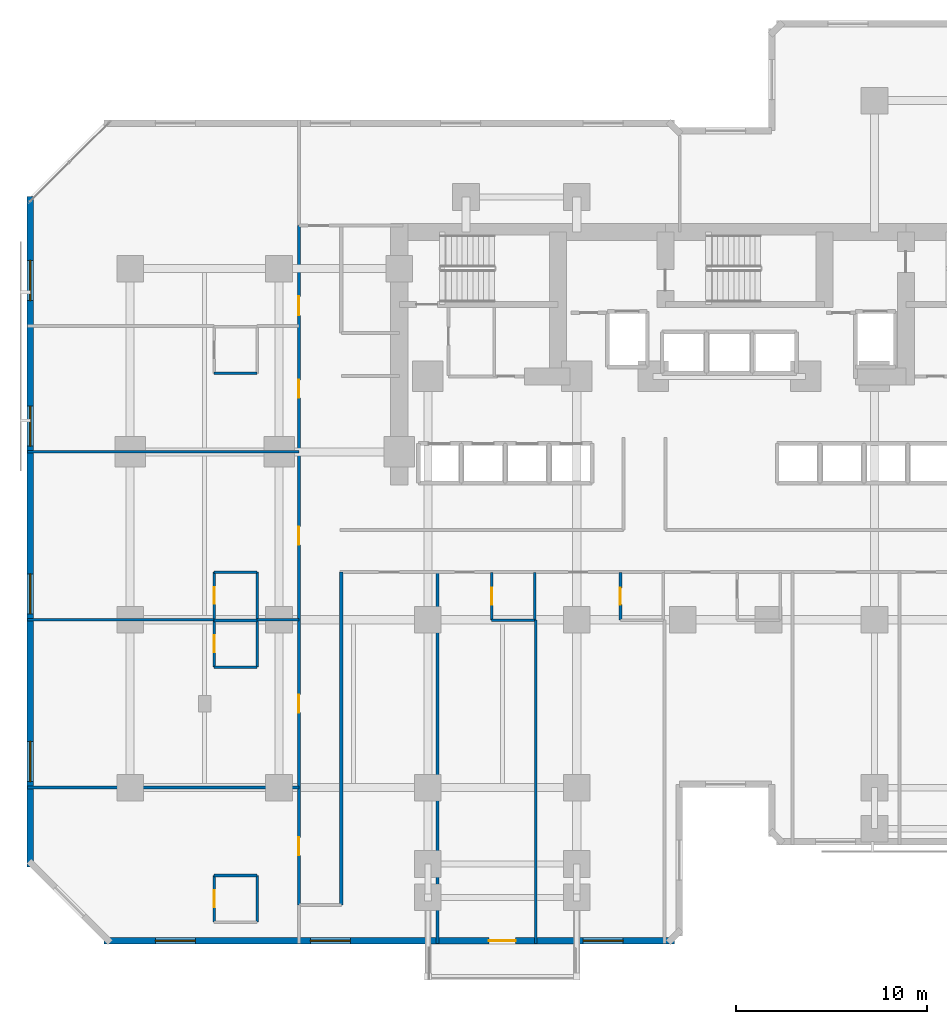
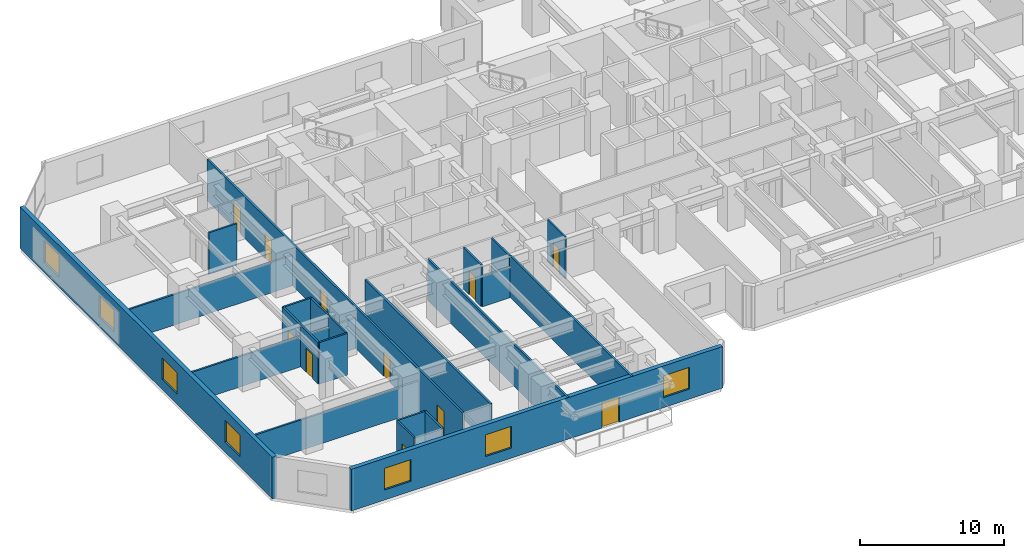
# One storey, part 5 of 12: 25 walls, 11 doors, 7 windows, 18 openings.
"""IFC4 building model written with IfcOpenShell, lengths in metres."""

import ifcopenshell
import ifcopenshell.guid

model = None  # the IFC model being written
_history = None  # IfcOwnerHistory: only IFC2X3 demands one
_inside = {}  # id of a spatial element -> (the spatial element, [elements in it])
_under = {}  # id of a project, library or spatial element -> (it, [spatial elements below it])
_declared = {}  # id of a project -> (the project, [libraries it declares])
_typed = {}  # id of a type object -> (the type object, [elements of that type])
_made_of = {}  # id of a material, layer set ... -> (it, [elements and type objects made of it])


def new_model(schema):
    """Start an empty IFC model of exactly this schema.

    Asked for "IFC4X3", IfcOpenShell would pick the latest addendum, in which some entities
    have other attributes; the version numbers below select the first issue.
    IFC2X3 requires an IfcOwnerHistory on every rooted entity: one is made here for all.
    """
    global model, _history
    if schema == "IFC4X3":
        model = ifcopenshell.file(schema_version=(4, 3, 0, 0))
    else:
        model = ifcopenshell.file(schema=schema)
    _inside.clear()
    _under.clear()
    _declared.clear()
    _typed.clear()
    _made_of.clear()
    _history = None
    if model.schema == "IFC2X3":
        org = make("IfcOrganization", Name="unknown")
        user = make(
            "IfcPersonAndOrganization",
            ThePerson=make("IfcPerson", FamilyName="unknown"),
            TheOrganization=org,
        )
        app = make(
            "IfcApplication",
            ApplicationDeveloper=org,
            Version="unknown",
            ApplicationFullName="unknown",
            ApplicationIdentifier="unknown",
        )
        _history = make(
            "IfcOwnerHistory",
            OwningUser=user,
            OwningApplication=app,
            ChangeAction="ADDED",
            CreationDate=0,
        )
    return model


def make(cls, **values):
    """One entity of the class cls with the attributes given. An attribute that is None is left unset."""
    return model.create_entity(
        cls, **{name: value for name, value in values.items() if value is not None}
    )


def rooted(cls, **values):
    """An entity with a GlobalId (a new one), such as an element, a storey or a relation."""
    return make(cls, GlobalId=ifcopenshell.guid.new(), OwnerHistory=_history, **values)


def si_unit(unit_type, name, prefix=None):
    """IfcSIUnit, for example si_unit("LENGTHUNIT", "METRE", prefix="MILLI")."""
    return make("IfcSIUnit", UnitType=unit_type, Prefix=prefix, Name=name)


def assignment(units):
    """IfcUnitAssignment: the units of a project."""
    return None if units is None else make("IfcUnitAssignment", Units=units)


def point(xyz):
    """IfcCartesianPoint."""
    return None if xyz is None else make("IfcCartesianPoint", Coordinates=xyz)


def direction(xyz):
    """IfcDirection."""
    return None if xyz is None else make("IfcDirection", DirectionRatios=xyz)


def frame(location, z_axis=None, x_axis=None):
    """IfcAxis2Placement3D, a coordinate frame: its origin and axes. An axis left out is left unset."""
    return make(
        "IfcAxis2Placement3D",
        Location=point(location),
        Axis=direction(z_axis),
        RefDirection=direction(x_axis),
    )


def frame_2d(location, x_axis=None):
    """IfcAxis2Placement2D, a coordinate frame in the plane: its origin and x axis."""
    return make(
        "IfcAxis2Placement2D", Location=point(location), RefDirection=direction(x_axis)
    )


def origin():
    """The frame at (0, 0, 0) with its axes left unset."""
    return frame((0.0, 0.0, 0.0))


def place(relative_to, where):
    """IfcLocalPlacement: puts the frame where relative to a parent placement (None: the world)."""
    return make(
        "IfcLocalPlacement", PlacementRelTo=relative_to, RelativePlacement=where
    )


def context(
    kind, dimensions, precision=None, world=None, true_north=None, identifier=None
):
    """IfcGeometricRepresentationContext, for example the 3D "Model" context."""
    return make(
        "IfcGeometricRepresentationContext",
        ContextIdentifier=identifier,
        ContextType=kind,
        CoordinateSpaceDimension=dimensions,
        Precision=precision,
        WorldCoordinateSystem=world,
        TrueNorth=true_north,
    )


def subcontext(parent, identifier, kind, view, scale=None):
    """IfcGeometricRepresentationSubContext, for example "Body" below "Model"."""
    return make(
        "IfcGeometricRepresentationSubContext",
        ContextIdentifier=identifier,
        ContextType=kind,
        ParentContext=parent,
        TargetScale=scale,
        TargetView=view,
    )


def project(units=None, contexts=None):
    """IfcProject with its units and contexts."""
    return rooted(
        "IfcProject",
        Name="project",
        RepresentationContexts=contexts,
        UnitsInContext=assignment(units),
    )


def spatial(cls, under=None, at=None, **own):
    """A site, building, storey or space (cls), placed at a placement, below another one or the project."""
    s = rooted(cls, ObjectPlacement=at, **own)
    if under is not None:
        _under.setdefault(under.id(), (under, []))[1].append(s)
    return s


def profile(cls, at=None, kind="AREA", **sizes):
    """A parametric profile (cls). Its sizes go by their IFC names, for example OverallWidth=200.0."""
    return make(cls, ProfileType=kind, Position=at, **sizes)


def rectangle(**sizes):
    """IfcRectangleProfileDef."""
    return profile("IfcRectangleProfileDef", **sizes)


def extrude(swept, where, along, depth):
    """IfcExtrudedAreaSolid: the profile swept, set in the frame where, extruded along a direction by depth."""
    return make(
        "IfcExtrudedAreaSolid",
        SweptArea=swept,
        Position=where,
        ExtrudedDirection=direction(along),
        Depth=depth,
    )


def shape(context_of_items, identifier, shape_type, items):
    """IfcShapeRepresentation: the items that make up one representation, for example the "Body"."""
    return make(
        "IfcShapeRepresentation",
        ContextOfItems=context_of_items,
        RepresentationIdentifier=identifier,
        RepresentationType=shape_type,
        Items=items,
    )


def material(Name=None, Category=None):
    """IfcMaterial."""
    return make("IfcMaterial", Name=Name, Category=Category)


def layer(
    of_material, thickness, ventilated=None, Name=None, Category=None, Priority=None
):
    """IfcMaterialLayer: one layer of a wall or slab, of a material (None: an air gap)."""
    return make(
        "IfcMaterialLayer",
        Material=of_material,
        LayerThickness=thickness,
        IsVentilated=ventilated,
        Name=Name,
        Category=Category,
        Priority=Priority,
    )


def layer_set(layers, Name=None):
    """IfcMaterialLayerSet."""
    return make("IfcMaterialLayerSet", MaterialLayers=layers, LayerSetName=Name)


def made_of(thing, what):
    """Note that an element or type object is made of a material, layer set ...; save() writes the relation."""
    if what is not None:
        _made_of.setdefault(what.id(), (what, []))[1].append(thing)
    return thing


def type_object(cls, material=None, **own):
    """A type object (cls), such as IfcWallType, which elements share."""
    return made_of(rooted(cls, **own), material)


def element(
    cls,
    number,
    at=None,
    inside=None,
    cuts=None,
    type_object=None,
    material=None,
    context=None,
    identifier="Body",
    shape_type=None,
    held_by="IfcProductDefinitionShape",
    body=None,
    shapes=None,
    **own,
):
    """One element of the class cls, such as IfcWall. Its Tag is "e" and its number.

    at: its placement. inside: the storey or other place that contains it. cuts: it is an
    opening in that element (IfcRelVoidsElement). A single representation is given by context,
    identifier, shape_type and body (its items); several are given by shapes. held_by: the class
    of the entity that holds the representations. save() writes the other relations.
    """
    e = rooted(cls, Tag="e%d" % number, ObjectPlacement=at, **own)
    if body is not None:
        shapes = [shape(context, identifier, shape_type, body)]
    if shapes is not None:
        e.Representation = make(held_by, Representations=shapes)
    if inside is not None:
        _inside.setdefault(inside.id(), (inside, []))[1].append(e)
    if cuts is not None:
        rooted(
            "IfcRelVoidsElement", RelatingBuildingElement=cuts, RelatedOpeningElement=e
        )
    if type_object is not None:
        _typed.setdefault(type_object.id(), (type_object, []))[1].append(e)
    return made_of(e, material)


def fill(opening, filler):
    """IfcRelFillsElement: the door or window that sits in an opening."""
    return rooted(
        "IfcRelFillsElement",
        RelatingOpeningElement=opening,
        RelatedBuildingElement=filler,
    )


def aggregate(whole, parts):
    """IfcRelAggregates: a whole, such as a stair, and the parts it consists of."""
    return rooted("IfcRelAggregates", RelatingObject=whole, RelatedObjects=parts)


def save(model, path):
    """Write the relations noted so far, then the file.

    IfcRelAggregates (storeys below a building ...), IfcRelContainedInSpatialStructure (elements
    in a storey), IfcRelDefinesByType, IfcRelAssociatesMaterial and IfcRelDeclares: one each for
    every whole, place, type object, material and project.
    """
    for whole, parts in _under.values():
        aggregate(whole, parts)
    for where, things in _inside.values():
        rooted(
            "IfcRelContainedInSpatialStructure",
            RelatedElements=things,
            RelatingStructure=where,
        )
    for kind, things in _typed.values():
        rooted("IfcRelDefinesByType", RelatedObjects=things, RelatingType=kind)
    for what, things in _made_of.values():
        rooted("IfcRelAssociatesMaterial", RelatedObjects=things, RelatingMaterial=what)
    for by, libraries in _declared.values():
        rooted("IfcRelDeclares", RelatingContext=by, RelatedDefinitions=libraries)
    model.write(path)


model = new_model("IFC4")

# Units and contexts
model_context = context("Model", 3, precision=1e-05, world=origin(), true_north=direction((0.0, 1.0)))
body_context = subcontext(model_context, "Body", "Model", "MODEL_VIEW")
ifc_project = project(units=[si_unit("LENGTHUNIT", "METRE"), si_unit("AREAUNIT", "SQUARE_METRE"), si_unit("VOLUMEUNIT", "CUBIC_METRE"), si_unit("PLANEANGLEUNIT", "RADIAN"), si_unit("MASSUNIT", "GRAM", prefix="KILO")], contexts=[model_context])

# Site, building, storey
site_placement = place(None, origin())
site = spatial("IfcSite", under=ifc_project, at=site_placement, CompositionType="ELEMENT")
building_placement = place(site_placement, origin())
building = spatial("IfcBuilding", under=site, at=building_placement, Name="Kestravale Grand Hotel", CompositionType="ELEMENT")
storey_placement = place(building_placement, frame((0.0, 0.0, 33.60009765625)))
storey = spatial("IfcBuildingStorey", under=building, at=storey_placement, Name="L07", CompositionType="ELEMENT", Elevation=33.60009765625)

# Wall, openings, door, windows
ifc_material_1 = material(Name="Precast concrete f'c 45 MPa", Category="concrete")
ifc_layer_1 = layer(ifc_material_1, 0.340087890625)
ifc_layer_set_1 = layer_set([ifc_layer_1], Name="EW-PREC-340")
wall_type_1 = type_object("IfcWallType", Name="EW-PREC-340", PredefinedType="SOLIDWALL", material=ifc_layer_set_1)
wall_1_placement = place(storey_placement, frame((6.429931640625, 3.169921875, 0.0), z_axis=(0.0, 0.0, 1.0), x_axis=(1.0, 0.0, 0.0)))
wall_1 = element("IfcWall", 1, at=wall_1_placement, inside=storey, type_object=wall_type_1, Name="L07 fluted precast facade wall 1", PredefinedType="SOLIDWALL", context=body_context, shape_type="SweptSolid", body=[
    extrude(rectangle(XDim=29.89013671875, YDim=0.340087890625, at=frame_2d((14.945068359375, 0.0))), origin(), (0.0, 0.0, 1.0), 3.539794921875),
])
opening_1_placement = place(wall_1_placement, frame((20.169921875, 0.0, 0.0)))
opening_1 = element("IfcOpeningElement", 2, at=opening_1_placement, cuts=wall_1, Name="Opening D-TERR-1400", PredefinedType="OPENING", context=body_context, shape_type="SweptSolid", body=[
    extrude(rectangle(XDim=1.39990234375, YDim=2.14990234375, at=frame_2d((0.699951171875, 1.074951171875))), frame((0.0, 0.179931640625, 0.0), z_axis=(0.0, -1.0, 0.0), x_axis=(1.0, 0.0, 0.0)), (0.0, 0.0, 1.0), 0.360107421875),
])
opening_2_placement = place(wall_1_placement, frame((2.686279296875, 0.0, 0.85009765625)))
opening_2 = element("IfcOpeningElement", 3, at=opening_2_placement, cuts=wall_1, Name="Opening W-GUEST-2100", PredefinedType="OPENING", context=body_context, shape_type="SweptSolid", body=[
    extrude(rectangle(XDim=2.10009765625, YDim=1.85009765625, at=frame_2d((1.050048828125, 0.925048828125))), frame((0.0, 0.179931640625, 0.0), z_axis=(0.0, -1.0, 0.0), x_axis=(1.0, 0.0, 0.0)), (0.0, 0.0, 1.0), 0.360107421875),
])
opening_3_placement = place(wall_1_placement, frame((10.80859375, 0.0, 0.85009765625)))
opening_3 = element("IfcOpeningElement", 4, at=opening_3_placement, cuts=wall_1, Name="Opening W-GUEST-2100", PredefinedType="OPENING", context=body_context, shape_type="SweptSolid", body=[
    extrude(rectangle(XDim=2.10009765625, YDim=1.85009765625, at=frame_2d((1.050048828125, 0.925048828125))), frame((0.0, 0.179931640625, 0.0), z_axis=(0.0, -1.0, 0.0), x_axis=(1.0, 0.0, 0.0)), (0.0, 0.0, 1.0), 0.360107421875),
])
opening_4_placement = place(wall_1_placement, frame((25.103759765625, 0.0, 0.85009765625)))
opening_4 = element("IfcOpeningElement", 5, at=opening_4_placement, cuts=wall_1, Name="Opening W-GUEST-2100", PredefinedType="OPENING", context=body_context, shape_type="SweptSolid", body=[
    extrude(rectangle(XDim=2.10009765625, YDim=1.85009765625, at=frame_2d((1.050048828125, 0.925048828125))), frame((0.0, 0.179931640625, 0.0), z_axis=(0.0, -1.0, 0.0), x_axis=(1.0, 0.0, 0.0)), (0.0, 0.0, 1.0), 0.360107421875),
])
ifc_material_2 = material(Name="Insulated glazed champagne-bronze aluminium door", Category="aluminium")
door_type_1 = type_object("IfcDoorType", Name="D-TERR-1400", OperationType="NOTDEFINED", PredefinedType="DOOR", material=ifc_material_2)
door_1_placement = place(opening_1_placement, origin())
door_1 = element("IfcDoor", 6, at=door_1_placement, inside=storey, type_object=door_type_1, Name="L07 outdoor garden terrace door", OperationType="DOUBLE_DOOR_SINGLE_SWING", OverallHeight=2.14990234375, OverallWidth=1.39990234375, PredefinedType="DOOR", context=body_context, shape_type="SweptSolid", body=[
    extrude(rectangle(XDim=1.39990234375, YDim=2.14990234375, at=frame_2d((0.699951171875, 1.074951171875))), frame((0.0, 0.02490234375, 0.0), z_axis=(0.0, -1.0, 0.0), x_axis=(1.0, 0.0, 0.0)), (0.0, 0.0, 1.0), 0.050048828125),
])
fill(opening_1, door_1)
ifc_material_3 = material(Name="Insulated low-E double glazing in aluminium frame", Category="aluminium")
window_type = type_object("IfcWindowType", Name="W-GUEST-2100", PartitioningType="DOUBLE_PANEL_VERTICAL", PredefinedType="WINDOW", material=ifc_material_3)
window_1_placement = place(opening_2_placement, origin())
window_1 = element("IfcWindow", 7, at=window_1_placement, inside=storey, type_object=window_type, Name="L07 exterior window 1.1", OverallHeight=1.85009765625, OverallWidth=2.10009765625, PartitioningType="SINGLE_PANEL", PredefinedType="WINDOW", context=body_context, shape_type="SweptSolid", body=[
    extrude(rectangle(XDim=2.10009765625, YDim=1.85009765625, at=frame_2d((1.050048828125, 0.925048828125))), frame((0.0, 0.030029296875, 0.0), z_axis=(0.0, -1.0, 0.0), x_axis=(1.0, 0.0, 0.0)), (0.0, 0.0, 1.0), 0.06005859375),
])
fill(opening_2, window_1)
window_2_placement = place(opening_3_placement, origin())
window_2 = element("IfcWindow", 8, at=window_2_placement, inside=storey, type_object=window_type, Name="L07 exterior window 1.2", OverallHeight=1.85009765625, OverallWidth=2.10009765625, PartitioningType="SINGLE_PANEL", PredefinedType="WINDOW", context=body_context, shape_type="SweptSolid", body=[
    extrude(rectangle(XDim=2.10009765625, YDim=1.85009765625, at=frame_2d((1.050048828125, 0.925048828125))), frame((0.0, 0.030029296875, 0.0), z_axis=(0.0, -1.0, 0.0), x_axis=(1.0, 0.0, 0.0)), (0.0, 0.0, 1.0), 0.06005859375),
])
fill(opening_3, window_2)
window_3_placement = place(opening_4_placement, origin())
window_3 = element("IfcWindow", 9, at=window_3_placement, inside=storey, type_object=window_type, Name="L07 exterior window 1.3", OverallHeight=1.85009765625, OverallWidth=2.10009765625, PartitioningType="SINGLE_PANEL", PredefinedType="WINDOW", context=body_context, shape_type="SweptSolid", body=[
    extrude(rectangle(XDim=2.10009765625, YDim=1.85009765625, at=frame_2d((1.050048828125, 0.925048828125))), frame((0.0, 0.030029296875, 0.0), z_axis=(0.0, -1.0, 0.0), x_axis=(1.0, 0.0, 0.0)), (0.0, 0.0, 1.0), 0.06005859375),
])
fill(opening_4, window_3)

# Wall, openings, windows
wall_2_placement = place(storey_placement, frame((2.570068359375, 42.169921875, 0.0), z_axis=(0.0, 0.0, 1.0), x_axis=(0.0, -1.0, 0.0)))
wall_2 = element("IfcWall", 10, at=wall_2_placement, inside=storey, type_object=wall_type_1, Name="L07 fluted precast facade wall 19", PredefinedType="SOLIDWALL", context=body_context, shape_type="SweptSolid", body=[
    extrude(rectangle(XDim=35.139892578125, YDim=0.340087890625, at=frame_2d((17.56982421875, 0.0))), origin(), (0.0, 0.0, 1.0), 3.539794921875),
])
opening_5_placement = place(wall_2_placement, frame((3.342529296875, 0.0, 0.85009765625)))
opening_5 = element("IfcOpeningElement", 11, at=opening_5_placement, cuts=wall_2, Name="Opening W-GUEST-2100", PredefinedType="OPENING", context=body_context, shape_type="SweptSolid", body=[
    extrude(rectangle(XDim=2.10009765625, YDim=1.85009765625, at=frame_2d((1.050048828125, 0.925048828125))), frame((0.0, 0.179931640625, 0.0), z_axis=(0.0, -1.0, 0.0), x_axis=(1.0, 0.0, 0.0)), (0.0, 0.0, 1.0), 0.360107421875),
])
opening_6_placement = place(wall_2_placement, frame((10.9775390625, 0.0, 0.85009765625)))
opening_6 = element("IfcOpeningElement", 12, at=opening_6_placement, cuts=wall_2, Name="Opening W-GUEST-2100", PredefinedType="OPENING", context=body_context, shape_type="SweptSolid", body=[
    extrude(rectangle(XDim=2.10009765625, YDim=1.85009765625, at=frame_2d((1.050048828125, 0.925048828125))), frame((0.0, 0.179931640625, 0.0), z_axis=(0.0, -1.0, 0.0), x_axis=(1.0, 0.0, 0.0)), (0.0, 0.0, 1.0), 0.360107421875),
])
opening_7_placement = place(wall_2_placement, frame((19.762451171875, 0.0, 0.85009765625)))
opening_7 = element("IfcOpeningElement", 13, at=opening_7_placement, cuts=wall_2, Name="Opening W-GUEST-2100", PredefinedType="OPENING", context=body_context, shape_type="SweptSolid", body=[
    extrude(rectangle(XDim=2.10009765625, YDim=1.85009765625, at=frame_2d((1.050048828125, 0.925048828125))), frame((0.0, 0.179931640625, 0.0), z_axis=(0.0, -1.0, 0.0), x_axis=(1.0, 0.0, 0.0)), (0.0, 0.0, 1.0), 0.360107421875),
])
opening_8_placement = place(wall_2_placement, frame((28.547607421875, 0.0, 0.85009765625)))
opening_8 = element("IfcOpeningElement", 14, at=opening_8_placement, cuts=wall_2, Name="Opening W-GUEST-2100", PredefinedType="OPENING", context=body_context, shape_type="SweptSolid", body=[
    extrude(rectangle(XDim=2.10009765625, YDim=1.85009765625, at=frame_2d((1.050048828125, 0.925048828125))), frame((0.0, 0.179931640625, 0.0), z_axis=(0.0, -1.0, 0.0), x_axis=(1.0, 0.0, 0.0)), (0.0, 0.0, 1.0), 0.360107421875),
])
window_4_placement = place(opening_5_placement, origin())
window_4 = element("IfcWindow", 15, at=window_4_placement, inside=storey, type_object=window_type, Name="L07 exterior window 19.1", OverallHeight=1.85009765625, OverallWidth=2.10009765625, PartitioningType="SINGLE_PANEL", PredefinedType="WINDOW", context=body_context, shape_type="SweptSolid", body=[
    extrude(rectangle(XDim=2.10009765625, YDim=1.85009765625, at=frame_2d((1.050048828125, 0.925048828125))), frame((0.0, 0.030029296875, 0.0), z_axis=(0.0, -1.0, 0.0), x_axis=(1.0, 0.0, 0.0)), (0.0, 0.0, 1.0), 0.06005859375),
])
fill(opening_5, window_4)
window_5_placement = place(opening_6_placement, origin())
window_5 = element("IfcWindow", 16, at=window_5_placement, inside=storey, type_object=window_type, Name="L07 exterior window 19.2", OverallHeight=1.85009765625, OverallWidth=2.10009765625, PartitioningType="SINGLE_PANEL", PredefinedType="WINDOW", context=body_context, shape_type="SweptSolid", body=[
    extrude(rectangle(XDim=2.10009765625, YDim=1.85009765625, at=frame_2d((1.050048828125, 0.925048828125))), frame((0.0, 0.030029296875, 0.0), z_axis=(0.0, -1.0, 0.0), x_axis=(1.0, 0.0, 0.0)), (0.0, 0.0, 1.0), 0.06005859375),
])
fill(opening_6, window_5)
window_6_placement = place(opening_7_placement, origin())
window_6 = element("IfcWindow", 17, at=window_6_placement, inside=storey, type_object=window_type, Name="L07 exterior window 19.3", OverallHeight=1.85009765625, OverallWidth=2.10009765625, PartitioningType="SINGLE_PANEL", PredefinedType="WINDOW", context=body_context, shape_type="SweptSolid", body=[
    extrude(rectangle(XDim=2.10009765625, YDim=1.85009765625, at=frame_2d((1.050048828125, 0.925048828125))), frame((0.0, 0.030029296875, 0.0), z_axis=(0.0, -1.0, 0.0), x_axis=(1.0, 0.0, 0.0)), (0.0, 0.0, 1.0), 0.06005859375),
])
fill(opening_7, window_6)
window_7_placement = place(opening_8_placement, origin())
window_7 = element("IfcWindow", 18, at=window_7_placement, inside=storey, type_object=window_type, Name="L07 exterior window 19.4", OverallHeight=1.85009765625, OverallWidth=2.10009765625, PartitioningType="SINGLE_PANEL", PredefinedType="WINDOW", context=body_context, shape_type="SweptSolid", body=[
    extrude(rectangle(XDim=2.10009765625, YDim=1.85009765625, at=frame_2d((1.050048828125, 0.925048828125))), frame((0.0, 0.030029296875, 0.0), z_axis=(0.0, -1.0, 0.0), x_axis=(1.0, 0.0, 0.0)), (0.0, 0.0, 1.0), 0.06005859375),
])
fill(opening_8, window_7)

# Wall, openings, doors
ifc_material_4 = material(Name="Acoustic fire-rated gypsum board partition", Category="other")
ifc_layer_2 = layer(ifc_material_4, 0.159912109375)
ifc_layer_set_2 = layer_set([ifc_layer_2], Name="IW-CORR-160")
wall_type_2 = type_object("IfcWallType", Name="IW-CORR-160", PredefinedType="PARTITIONING", material=ifc_layer_set_2)
wall_3_placement = place(storey_placement, frame((16.639892578125, 5.050048828125, 0.0), z_axis=(0.0, 0.0, 1.0), x_axis=(0.0, 1.0, 0.0)))
wall_3 = element("IfcWall", 19, at=wall_3_placement, inside=storey, type_object=wall_type_2, Name="W-L07-SW-W", PredefinedType="PARTITIONING", context=body_context, shape_type="SweptSolid", body=[
    extrude(rectangle(XDim=35.599853515625, YDim=0.159912109375, at=frame_2d((17.7998046875, 0.0))), origin(), (0.0, 0.0, 1.0), 3.539794921875),
])
opening_9_placement = place(wall_3_placement, frame((2.60009765625, 0.0, 0.0)))
opening_9 = element("IfcOpeningElement", 20, at=opening_9_placement, cuts=wall_3, Name="Opening D-GUEST-950", PredefinedType="OPENING", context=body_context, shape_type="SweptSolid", body=[
    extrude(rectangle(XDim=0.949951171875, YDim=2.10009765625, at=frame_2d((0.47509765625, 1.050048828125))), frame((0.0, 0.08984375, 0.0), z_axis=(0.0, -1.0, 0.0), x_axis=(1.0, 0.0, 0.0)), (0.0, 0.0, 1.0), 0.179931640625),
])
opening_10_placement = place(wall_3_placement, frame((10.074951171875, 0.0, 0.0)))
opening_10 = element("IfcOpeningElement", 21, at=opening_10_placement, cuts=wall_3, Name="Opening D-GUEST-950", PredefinedType="OPENING", context=body_context, shape_type="SweptSolid", body=[
    extrude(rectangle(XDim=0.949951171875, YDim=2.10009765625, at=frame_2d((0.47509765625, 1.050048828125))), frame((0.0, 0.08984375, 0.0), z_axis=(0.0, -1.0, 0.0), x_axis=(1.0, 0.0, 0.0)), (0.0, 0.0, 1.0), 0.179931640625),
])
opening_11_placement = place(wall_3_placement, frame((18.875, 0.0, 0.0)))
opening_11 = element("IfcOpeningElement", 22, at=opening_11_placement, cuts=wall_3, Name="Opening D-GUEST-950", PredefinedType="OPENING", context=body_context, shape_type="SweptSolid", body=[
    extrude(rectangle(XDim=0.949951171875, YDim=2.10009765625, at=frame_2d((0.47509765625, 1.050048828125))), frame((0.0, 0.08984375, 0.0), z_axis=(0.0, -1.0, 0.0), x_axis=(1.0, 0.0, 0.0)), (0.0, 0.0, 1.0), 0.179931640625),
])
opening_12_placement = place(wall_3_placement, frame((26.574951171875, 0.0, 0.0)))
opening_12 = element("IfcOpeningElement", 23, at=opening_12_placement, cuts=wall_3, Name="Opening D-GUEST-950", PredefinedType="OPENING", context=body_context, shape_type="SweptSolid", body=[
    extrude(rectangle(XDim=0.949951171875, YDim=2.10009765625, at=frame_2d((0.47509765625, 1.050048828125))), frame((0.0, 0.08984375, 0.0), z_axis=(0.0, -1.0, 0.0), x_axis=(1.0, 0.0, 0.0)), (0.0, 0.0, 1.0), 0.179931640625),
])
opening_13_placement = place(wall_3_placement, frame((30.89990234375, 0.0, 0.0)))
opening_13 = element("IfcOpeningElement", 24, at=opening_13_placement, cuts=wall_3, Name="Opening D-GUEST-1000", PredefinedType="OPENING", context=body_context, shape_type="SweptSolid", body=[
    extrude(rectangle(XDim=1.0, YDim=2.14990234375, at=frame_2d((0.5, 1.074951171875))), frame((0.0, 0.08984375, 0.0), z_axis=(0.0, -1.0, 0.0), x_axis=(1.0, 0.0, 0.0)), (0.0, 0.0, 1.0), 0.179931640625),
])
ifc_material_5 = material(Name="Accessible walnut veneer hotel entrance fire door", Category="wood")
door_type_2 = type_object("IfcDoorType", Name="D-GUEST-1000", OperationType="NOTDEFINED", PredefinedType="DOOR", material=ifc_material_5)
door_2_placement = place(opening_13_placement, origin())
door_2 = element("IfcDoor", 25, at=door_2_placement, inside=storey, type_object=door_type_2, Name="D-L07-AMWW", OperationType="SINGLE_SWING_LEFT", OverallHeight=2.14990234375, OverallWidth=1.0, PredefinedType="DOOR", context=body_context, shape_type="SweptSolid", body=[
    extrude(rectangle(XDim=1.0, YDim=2.14990234375, at=frame_2d((0.5, 1.074951171875))), frame((0.0, 0.02490234375, 0.0), z_axis=(0.0, -1.0, 0.0), x_axis=(1.0, 0.0, 0.0)), (0.0, 0.0, 1.0), 0.050048828125),
])
fill(opening_13, door_2)
ifc_material_6 = material(Name="Walnut veneer hotel guestroom entrance fire door", Category="wood")
door_type_3 = type_object("IfcDoorType", Name="D-GUEST-950", OperationType="NOTDEFINED", PredefinedType="DOOR", material=ifc_material_6)
door_3_placement = place(opening_9_placement, origin())
door_3 = element("IfcDoor", 26, at=door_3_placement, inside=storey, type_object=door_type_3, Name="D-L07-U06-ENT", OperationType="SINGLE_SWING_RIGHT", OverallHeight=2.10009765625, OverallWidth=0.949951171875, PredefinedType="DOOR", context=body_context, shape_type="SweptSolid", body=[
    extrude(rectangle(XDim=0.949951171875, YDim=2.10009765625, at=frame_2d((0.47509765625, 1.050048828125))), frame((0.0, 0.02490234375, 0.0), z_axis=(0.0, -1.0, 0.0), x_axis=(1.0, 0.0, 0.0)), (0.0, 0.0, 1.0), 0.050048828125),
])
fill(opening_9, door_3)
door_4_placement = place(opening_10_placement, origin())
door_4 = element("IfcDoor", 27, at=door_4_placement, inside=storey, type_object=door_type_3, Name="D-L07-U07-ENT", OperationType="SINGLE_SWING_RIGHT", OverallHeight=2.10009765625, OverallWidth=0.949951171875, PredefinedType="DOOR", context=body_context, shape_type="SweptSolid", body=[
    extrude(rectangle(XDim=0.949951171875, YDim=2.10009765625, at=frame_2d((0.47509765625, 1.050048828125))), frame((0.0, 0.02490234375, 0.0), z_axis=(0.0, -1.0, 0.0), x_axis=(1.0, 0.0, 0.0)), (0.0, 0.0, 1.0), 0.050048828125),
])
fill(opening_10, door_4)
door_5_placement = place(opening_11_placement, origin())
door_5 = element("IfcDoor", 28, at=door_5_placement, inside=storey, type_object=door_type_3, Name="D-L07-U08-ENT", OperationType="SINGLE_SWING_RIGHT", OverallHeight=2.10009765625, OverallWidth=0.949951171875, PredefinedType="DOOR", context=body_context, shape_type="SweptSolid", body=[
    extrude(rectangle(XDim=0.949951171875, YDim=2.10009765625, at=frame_2d((0.47509765625, 1.050048828125))), frame((0.0, 0.02490234375, 0.0), z_axis=(0.0, -1.0, 0.0), x_axis=(1.0, 0.0, 0.0)), (0.0, 0.0, 1.0), 0.050048828125),
])
fill(opening_11, door_5)
door_6_placement = place(opening_12_placement, origin())
door_6 = element("IfcDoor", 29, at=door_6_placement, inside=storey, type_object=door_type_3, Name="D-L07-U09-ENT", OperationType="SINGLE_SWING_RIGHT", OverallHeight=2.10009765625, OverallWidth=0.949951171875, PredefinedType="DOOR", context=body_context, shape_type="SweptSolid", body=[
    extrude(rectangle(XDim=0.949951171875, YDim=2.10009765625, at=frame_2d((0.47509765625, 1.050048828125))), frame((0.0, 0.02490234375, 0.0), z_axis=(0.0, -1.0, 0.0), x_axis=(1.0, 0.0, 0.0)), (0.0, 0.0, 1.0), 0.050048828125),
])
fill(opening_12, door_6)

# Wall
wall_4_placement = place(storey_placement, frame((18.860107421875, 5.050048828125, 0.0), z_axis=(0.0, 0.0, 1.0), x_axis=(0.0, 1.0, 0.0)))
element("IfcWall", 30, at=wall_4_placement, inside=storey, type_object=wall_type_2, Name="W-L07-SW-E", PredefinedType="PARTITIONING", context=body_context, shape_type="SweptSolid", body=[
    extrude(rectangle(XDim=17.43994140625, YDim=0.159912109375, at=frame_2d((8.719970703125, 0.0))), origin(), (0.0, 0.0, 1.0), 3.539794921875),
])

# Wall, opening, door
ifc_material_7 = material(Name="Moisture-resistant tile-backer plumbing chase wall", Category="other")
ifc_layer_3 = layer(ifc_material_7, 0.139892578125)
ifc_layer_set_3 = layer_set([ifc_layer_3], Name="IW-PLB-140")
wall_type_3 = type_object("IfcWallType", Name="IW-PLB-140", PredefinedType="PLUMBINGWALL", material=ifc_layer_set_3)
wall_5_placement = place(storey_placement, frame((26.743408203125, 19.97998046875, 0.0), z_axis=(0.0, 0.0, 1.0), x_axis=(0.0, 1.0, 0.0)))
wall_5 = element("IfcWall", 31, at=wall_5_placement, inside=storey, type_object=wall_type_3, Name="W-L07-U01-BW", PredefinedType="PLUMBINGWALL", context=body_context, shape_type="SweptSolid", body=[
    extrude(rectangle(XDim=2.489990234375, YDim=0.139892578125, at=frame_2d((1.2451171875, 0.0))), origin(), (0.0, 0.0, 1.0), 3.539794921875),
])
opening_14_placement = place(wall_5_placement, frame((0.804931640625, 0.0, 0.0)))
opening_14 = element("IfcOpeningElement", 32, at=opening_14_placement, cuts=wall_5, Name="Opening D-BATH-880", PredefinedType="OPENING", context=body_context, shape_type="SweptSolid", body=[
    extrude(rectangle(XDim=0.8798828125, YDim=2.050048828125, at=frame_2d((0.43994140625, 1.02490234375))), frame((0.0, 0.079833984375, 0.0), z_axis=(0.0, -1.0, 0.0), x_axis=(1.0, 0.0, 0.0)), (0.0, 0.0, 1.0), 0.159912109375),
])
ifc_material_8 = material(Name="Moisture-sealed walnut en-suite bathroom door", Category="wood")
door_type_4 = type_object("IfcDoorType", Name="D-BATH-880", OperationType="NOTDEFINED", PredefinedType="DOOR", material=ifc_material_8)
door_7_placement = place(opening_14_placement, origin())
door_7 = element("IfcDoor", 33, at=door_7_placement, inside=storey, type_object=door_type_4, Name="D-L07-U01-BATH", OperationType="SINGLE_SWING_RIGHT", OverallHeight=2.050048828125, OverallWidth=0.8798828125, PredefinedType="DOOR", context=body_context, shape_type="SweptSolid", body=[
    extrude(rectangle(XDim=0.8798828125, YDim=2.050048828125, at=frame_2d((0.43994140625, 1.02490234375))), frame((0.0, 0.02490234375, 0.0), z_axis=(0.0, -1.0, 0.0), x_axis=(1.0, 0.0, 0.0)), (0.0, 0.0, 1.0), 0.050048828125),
])
fill(opening_14, door_7)

# Walls
wall_6_placement = place(storey_placement, frame((28.993408203125, 19.97998046875, 0.0), z_axis=(0.0, 0.0, 1.0), x_axis=(0.0, 1.0, 0.0)))
element("IfcWall", 34, at=wall_6_placement, inside=storey, type_object=wall_type_3, Name="W-L07-U01-BE", PredefinedType="PLUMBINGWALL", context=body_context, shape_type="SweptSolid", body=[
    extrude(rectangle(XDim=2.489990234375, YDim=0.139892578125, at=frame_2d((1.2451171875, 0.0))), origin(), (0.0, 0.0, 1.0), 3.539794921875),
])
wall_7_placement = place(storey_placement, frame((26.743408203125, 19.97998046875, 0.0), z_axis=(0.0, 0.0, 1.0), x_axis=(1.0, 0.0, 0.0)))
element("IfcWall", 35, at=wall_7_placement, inside=storey, type_object=wall_type_3, Name="W-L07-U01-BS", PredefinedType="PLUMBINGWALL", context=body_context, shape_type="SweptSolid", body=[
    extrude(rectangle(XDim=2.25, YDim=0.139892578125, at=frame_2d((1.125, 0.0))), origin(), (0.0, 0.0, 1.0), 2.593017578125),
])

# Wall, opening, door
wall_8_placement = place(storey_placement, frame((33.489990234375, 19.97998046875, 0.0), z_axis=(0.0, 0.0, 1.0), x_axis=(0.0, 1.0, 0.0)))
wall_8 = element("IfcWall", 36, at=wall_8_placement, inside=storey, type_object=wall_type_3, Name="W-L07-U02-BW", PredefinedType="PLUMBINGWALL", context=body_context, shape_type="SweptSolid", body=[
    extrude(rectangle(XDim=2.489990234375, YDim=0.139892578125, at=frame_2d((1.2451171875, 0.0))), origin(), (0.0, 0.0, 1.0), 3.539794921875),
])
opening_15_placement = place(wall_8_placement, frame((0.804931640625, 0.0, 0.0)))
opening_15 = element("IfcOpeningElement", 37, at=opening_15_placement, cuts=wall_8, Name="Opening D-BATH-880", PredefinedType="OPENING", context=body_context, shape_type="SweptSolid", body=[
    extrude(rectangle(XDim=0.8798828125, YDim=2.050048828125, at=frame_2d((0.43994140625, 1.02490234375))), frame((0.0, 0.079833984375, 0.0), z_axis=(0.0, -1.0, 0.0), x_axis=(1.0, 0.0, 0.0)), (0.0, 0.0, 1.0), 0.159912109375),
])
door_8_placement = place(opening_15_placement, origin())
door_8 = element("IfcDoor", 38, at=door_8_placement, inside=storey, type_object=door_type_4, Name="D-L07-U02-BATH", OperationType="SINGLE_SWING_RIGHT", OverallHeight=2.050048828125, OverallWidth=0.8798828125, PredefinedType="DOOR", context=body_context, shape_type="SweptSolid", body=[
    extrude(rectangle(XDim=0.8798828125, YDim=2.050048828125, at=frame_2d((0.43994140625, 1.02490234375))), frame((0.0, 0.02490234375, 0.0), z_axis=(0.0, -1.0, 0.0), x_axis=(1.0, 0.0, 0.0)), (0.0, 0.0, 1.0), 0.050048828125),
])
fill(opening_15, door_8)

wall_9_placement = place(storey_placement, frame((12.199951171875, 4.14990234375, 0.0), z_axis=(0.0, 0.0, 1.0), x_axis=(0.0, 1.0, 0.0)))
wall_9 = element("IfcWall", 39, at=wall_9_placement, inside=storey, type_object=wall_type_3, Name="W-L07-U06-BW", PredefinedType="PLUMBINGWALL", context=body_context, shape_type="SweptSolid", body=[
    extrude(rectangle(XDim=2.4501953125, YDim=0.139892578125, at=frame_2d((1.22509765625, 0.0))), origin(), (0.0, 0.0, 1.0), 3.539794921875),
])
opening_16_placement = place(wall_9_placement, frame((0.784912109375, 0.0, 0.0)))
opening_16 = element("IfcOpeningElement", 40, at=opening_16_placement, cuts=wall_9, Name="Opening D-BATH-880", PredefinedType="OPENING", context=body_context, shape_type="SweptSolid", body=[
    extrude(rectangle(XDim=0.8798828125, YDim=2.050048828125, at=frame_2d((0.43994140625, 1.02490234375))), frame((0.0, 0.079833984375, 0.0), z_axis=(0.0, -1.0, 0.0), x_axis=(1.0, 0.0, 0.0)), (0.0, 0.0, 1.0), 0.159912109375),
])
door_9_placement = place(opening_16_placement, origin())
door_9 = element("IfcDoor", 41, at=door_9_placement, inside=storey, type_object=door_type_4, Name="D-L07-U06-BATH", OperationType="SINGLE_SWING_LEFT", OverallHeight=2.050048828125, OverallWidth=0.8798828125, PredefinedType="DOOR", context=body_context, shape_type="SweptSolid", body=[
    extrude(rectangle(XDim=0.8798828125, YDim=2.050048828125, at=frame_2d((0.43994140625, 1.02490234375))), frame((0.0, 0.02490234375, 0.0), z_axis=(0.0, -1.0, 0.0), x_axis=(1.0, 0.0, 0.0)), (0.0, 0.0, 1.0), 0.050048828125),
])
fill(opening_16, door_9)

# Walls
wall_10_placement = place(storey_placement, frame((14.449951171875, 4.14990234375, 0.0), z_axis=(0.0, 0.0, 1.0), x_axis=(0.0, 1.0, 0.0)))
element("IfcWall", 42, at=wall_10_placement, inside=storey, type_object=wall_type_3, Name="W-L07-U06-BE", PredefinedType="PLUMBINGWALL", context=body_context, shape_type="SweptSolid", body=[
    extrude(rectangle(XDim=2.4501953125, YDim=0.139892578125, at=frame_2d((1.22509765625, 0.0))), origin(), (0.0, 0.0, 1.0), 3.539794921875),
])
wall_11_placement = place(storey_placement, frame((12.199951171875, 6.60009765625, 0.0), z_axis=(0.0, 0.0, 1.0), x_axis=(1.0, 0.0, 0.0)))
element("IfcWall", 43, at=wall_11_placement, inside=storey, type_object=wall_type_3, Name="W-L07-U06-BN", PredefinedType="PLUMBINGWALL", context=body_context, shape_type="SweptSolid", body=[
    extrude(rectangle(XDim=2.25, YDim=0.139892578125, at=frame_2d((1.125, 0.0))), origin(), (0.0, 0.0, 1.0), 3.539794921875),
])

# Wall, opening, door
wall_12_placement = place(storey_placement, frame((12.199951171875, 17.510009765625, 0.0), z_axis=(0.0, 0.0, 1.0), x_axis=(0.0, 1.0, 0.0)))
wall_12 = element("IfcWall", 44, at=wall_12_placement, inside=storey, type_object=wall_type_3, Name="W-L07-U07-BW", PredefinedType="PLUMBINGWALL", context=body_context, shape_type="SweptSolid", body=[
    extrude(rectangle(XDim=2.449951171875, YDim=0.139892578125, at=frame_2d((1.22509765625, 0.0))), origin(), (0.0, 0.0, 1.0), 3.539794921875),
])
opening_17_placement = place(wall_12_placement, frame((0.784912109375, 0.0, 0.0)))
opening_17 = element("IfcOpeningElement", 45, at=opening_17_placement, cuts=wall_12, Name="Opening D-BATH-880", PredefinedType="OPENING", context=body_context, shape_type="SweptSolid", body=[
    extrude(rectangle(XDim=0.8798828125, YDim=2.050048828125, at=frame_2d((0.43994140625, 1.02490234375))), frame((0.0, 0.079833984375, 0.0), z_axis=(0.0, -1.0, 0.0), x_axis=(1.0, 0.0, 0.0)), (0.0, 0.0, 1.0), 0.159912109375),
])
door_10_placement = place(opening_17_placement, origin())
door_10 = element("IfcDoor", 46, at=door_10_placement, inside=storey, type_object=door_type_4, Name="D-L07-U07-BATH", OperationType="SINGLE_SWING_LEFT", OverallHeight=2.050048828125, OverallWidth=0.8798828125, PredefinedType="DOOR", context=body_context, shape_type="SweptSolid", body=[
    extrude(rectangle(XDim=0.8798828125, YDim=2.050048828125, at=frame_2d((0.43994140625, 1.02490234375))), frame((0.0, 0.02490234375, 0.0), z_axis=(0.0, -1.0, 0.0), x_axis=(1.0, 0.0, 0.0)), (0.0, 0.0, 1.0), 0.050048828125),
])
fill(opening_17, door_10)

# Walls
wall_13_placement = place(storey_placement, frame((14.449951171875, 17.510009765625, 0.0), z_axis=(0.0, 0.0, 1.0), x_axis=(0.0, 1.0, 0.0)))
element("IfcWall", 47, at=wall_13_placement, inside=storey, type_object=wall_type_3, Name="W-L07-U07-BE", PredefinedType="PLUMBINGWALL", context=body_context, shape_type="SweptSolid", body=[
    extrude(rectangle(XDim=2.449951171875, YDim=0.139892578125, at=frame_2d((1.22509765625, 0.0))), origin(), (0.0, 0.0, 1.0), 3.539794921875),
])
wall_14_placement = place(storey_placement, frame((12.199951171875, 17.510009765625, 0.0), z_axis=(0.0, 0.0, 1.0), x_axis=(1.0, 0.0, 0.0)))
element("IfcWall", 48, at=wall_14_placement, inside=storey, type_object=wall_type_3, Name="W-L07-U07-BS", PredefinedType="PLUMBINGWALL", context=body_context, shape_type="SweptSolid", body=[
    extrude(rectangle(XDim=2.25, YDim=0.139892578125, at=frame_2d((1.125, 0.0))), origin(), (0.0, 0.0, 1.0), 3.539794921875),
])
wall_15_placement = place(storey_placement, frame((12.199951171875, 19.9599609375, 0.0), z_axis=(0.0, 0.0, 1.0), x_axis=(1.0, 0.0, 0.0)))
element("IfcWall", 49, at=wall_15_placement, inside=storey, type_object=wall_type_3, Name="W-L07-U07-BN", PredefinedType="PLUMBINGWALL", context=body_context, shape_type="SweptSolid", body=[
    extrude(rectangle(XDim=2.25, YDim=0.139892578125, at=frame_2d((1.125, 0.0))), origin(), (0.0, 0.0, 1.0), 2.593017578125),
])

# Wall, opening, door
wall_16_placement = place(storey_placement, frame((12.199951171875, 20.0400390625, 0.0), z_axis=(0.0, 0.0, 1.0), x_axis=(0.0, 1.0, 0.0)))
wall_16 = element("IfcWall", 50, at=wall_16_placement, inside=storey, type_object=wall_type_3, Name="W-L07-U08-BW", PredefinedType="PLUMBINGWALL", context=body_context, shape_type="SweptSolid", body=[
    extrude(rectangle(XDim=2.449951171875, YDim=0.139892578125, at=frame_2d((1.22509765625, 0.0))), origin(), (0.0, 0.0, 1.0), 3.539794921875),
])
opening_18_placement = place(wall_16_placement, frame((0.784912109375, 0.0, 0.0)))
opening_18 = element("IfcOpeningElement", 51, at=opening_18_placement, cuts=wall_16, Name="Opening D-BATH-880", PredefinedType="OPENING", context=body_context, shape_type="SweptSolid", body=[
    extrude(rectangle(XDim=0.8798828125, YDim=2.050048828125, at=frame_2d((0.43994140625, 1.02490234375))), frame((0.0, 0.079833984375, 0.0), z_axis=(0.0, -1.0, 0.0), x_axis=(1.0, 0.0, 0.0)), (0.0, 0.0, 1.0), 0.159912109375),
])
door_11_placement = place(opening_18_placement, origin())
door_11 = element("IfcDoor", 52, at=door_11_placement, inside=storey, type_object=door_type_4, Name="D-L07-U08-BATH", OperationType="SINGLE_SWING_LEFT", OverallHeight=2.050048828125, OverallWidth=0.8798828125, PredefinedType="DOOR", context=body_context, shape_type="SweptSolid", body=[
    extrude(rectangle(XDim=0.8798828125, YDim=2.050048828125, at=frame_2d((0.43994140625, 1.02490234375))), frame((0.0, 0.02490234375, 0.0), z_axis=(0.0, -1.0, 0.0), x_axis=(1.0, 0.0, 0.0)), (0.0, 0.0, 1.0), 0.050048828125),
])
fill(opening_18, door_11)

# Walls
wall_17_placement = place(storey_placement, frame((14.449951171875, 20.0400390625, 0.0), z_axis=(0.0, 0.0, 1.0), x_axis=(0.0, 1.0, 0.0)))
element("IfcWall", 53, at=wall_17_placement, inside=storey, type_object=wall_type_3, Name="W-L07-U08-BE", PredefinedType="PLUMBINGWALL", context=body_context, shape_type="SweptSolid", body=[
    extrude(rectangle(XDim=2.449951171875, YDim=0.139892578125, at=frame_2d((1.22509765625, 0.0))), origin(), (0.0, 0.0, 1.0), 3.539794921875),
])
for number, where, z_axis, x_axis, name in (
    (54, (12.199951171875, 22.489990234375, 0.0), (0.0, 0.0, 1.0), (1.0, 0.0, 0.0), "W-L07-U08-BN"),
    (55, (12.199951171875, 32.909912109375, 0.0), (0.0, 0.0, 1.0), (1.0, 0.0, 0.0), "W-L07-U09-BS"),
):
    element("IfcWall", number, at=place(storey_placement, frame(where, z_axis=z_axis, x_axis=x_axis)), inside=storey, type_object=wall_type_3, Name=name, PredefinedType="PLUMBINGWALL", context=body_context, shape_type="SweptSolid", body=[
        extrude(rectangle(XDim=2.25, YDim=0.139892578125, at=frame_2d((1.125, 0.0))), origin(), (0.0, 0.0, 1.0), 3.539794921875),
    ])
ifc_material_9 = material(Name="Double-stud STC 52 acoustic demising partition", Category="other")
ifc_layer_4 = layer(ifc_material_9, 0.14990234375)
ifc_layer_set_4 = layer_set([ifc_layer_4], Name="IW-UNIT-150")
wall_type_4 = type_object("IfcWallType", Name="IW-UNIT-150", PredefinedType="PARTITIONING", material=ifc_layer_set_4)
wall_18_placement = place(storey_placement, frame((23.909912109375, 3.02001953125, 0.0), z_axis=(0.0, 0.0, 1.0), x_axis=(0.0, 1.0, 0.0)))
element("IfcWall", 56, at=wall_18_placement, inside=storey, type_object=wall_type_4, Name="W-L07-WS-1", PredefinedType="PARTITIONING", context=body_context, shape_type="SweptSolid", body=[
    extrude(rectangle(XDim=19.469970703125, YDim=0.14990234375, at=frame_2d((9.73486328125, 0.0))), origin(), (0.0, 0.0, 1.0), 3.539794921875),
])
wall_19_placement = place(storey_placement, frame((29.05322265625, 3.02001953125, 0.0), z_axis=(0.0, 0.0, 1.0), x_axis=(0.0, 1.0, 0.0)))
element("IfcWall", 57, at=wall_19_placement, inside=storey, type_object=wall_type_4, Name="W-L07-WS-2", PredefinedType="PARTITIONING", context=body_context, shape_type="SweptSolid", body=[
    extrude(rectangle(XDim=16.9599609375, YDim=0.14990234375, at=frame_2d((8.47998046875, 0.0))), origin(), (0.0, 0.0, 1.0), 3.539794921875),
])
wall_20_placement = place(storey_placement, frame((2.419921875, 11.199951171875, 0.0), z_axis=(0.0, 0.0, 1.0), x_axis=(1.0, 0.0, 0.0)))
element("IfcWall", 58, at=wall_20_placement, inside=storey, type_object=wall_type_4, Name="W-L07-WW-1", PredefinedType="PARTITIONING", context=body_context, shape_type="SweptSolid", body=[
    extrude(rectangle(XDim=14.219970703125, YDim=0.14990234375, at=frame_2d((7.10986328125, 0.0))), origin(), (0.0, 0.0, 1.0), 2.593017578125),
])
wall_21_placement = place(storey_placement, frame((2.419921875, 20.0, 0.0), z_axis=(0.0, 0.0, 1.0), x_axis=(1.0, 0.0, 0.0)))
element("IfcWall", 59, at=wall_21_placement, inside=storey, type_object=wall_type_4, Name="W-L07-WW-2", PredefinedType="PARTITIONING", context=body_context, shape_type="SweptSolid", body=[
    extrude(rectangle(XDim=9.780029296875, YDim=0.14990234375, at=frame_2d((4.89013671875, 0.0))), origin(), (0.0, 0.0, 1.0), 2.593017578125),
])
wall_22_placement = place(storey_placement, frame((14.449951171875, 20.0, 0.0), z_axis=(0.0, 0.0, 1.0), x_axis=(1.0, 0.0, 0.0)))
element("IfcWall", 60, at=wall_22_placement, inside=storey, type_object=wall_type_4, Name="W-L07-WW-2", PredefinedType="PARTITIONING", context=body_context, shape_type="SweptSolid", body=[
    extrude(rectangle(XDim=2.18994140625, YDim=0.14990234375, at=frame_2d((1.094970703125, 0.0))), origin(), (0.0, 0.0, 1.0), 2.593017578125),
])
wall_23_placement = place(storey_placement, frame((2.419921875, 28.800048828125, 0.0), z_axis=(0.0, 0.0, 1.0), x_axis=(1.0, 0.0, 0.0)))
element("IfcWall", 61, at=wall_23_placement, inside=storey, type_object=wall_type_4, Name="W-L07-WW-3", PredefinedType="PARTITIONING", context=body_context, shape_type="SweptSolid", body=[
    extrude(rectangle(XDim=14.219970703125, YDim=0.14990234375, at=frame_2d((7.10986328125, 0.0))), origin(), (0.0, 0.0, 1.0), 2.593017578125),
])

save(model, "model.ifc")
